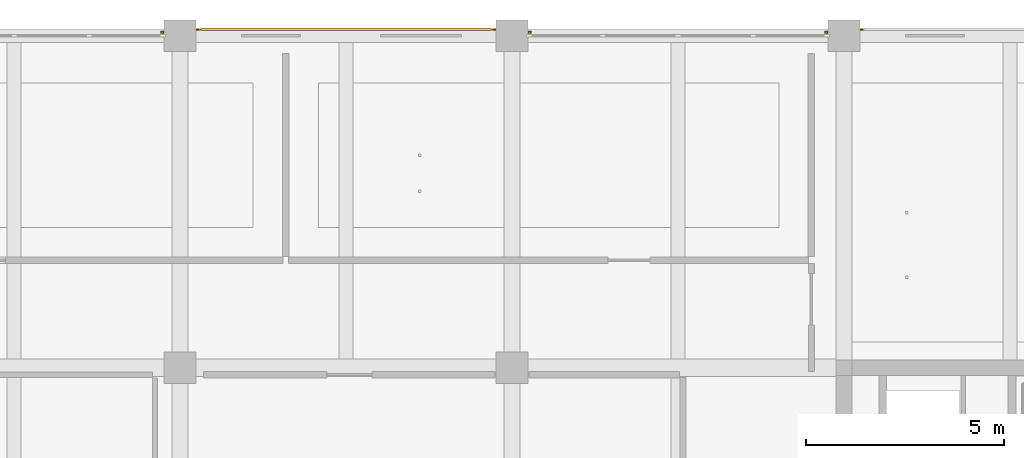
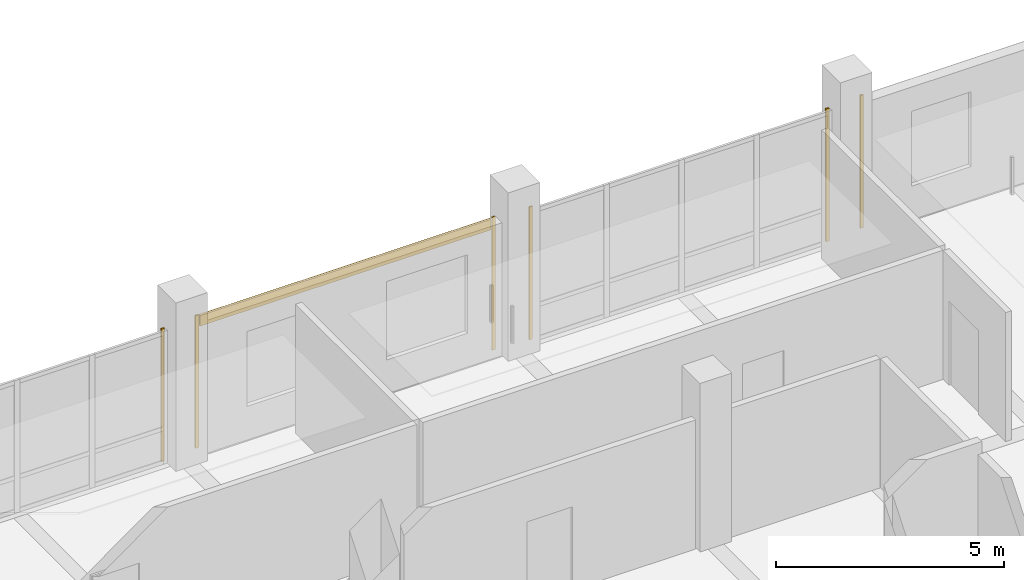
# One storey, part 33 of 34: 7 coverings.
"""IFC4 building model written with IfcOpenShell, lengths in metres."""

from ifc_helpers import new_model, si_unit, direction, frame, origin, origin_2d, place, context, subcontext, project, spatial, rectangle, extrude, material, layer, layer_set, type_object, element, save


model = new_model("IFC4")

# Units and contexts
model_context = context("Model", 3, precision=1e-05, world=origin(), true_north=direction((0.0, 1.0)))
body_context = subcontext(model_context, "Body", "Model", "MODEL_VIEW")
ifc_project = project(units=[si_unit("LENGTHUNIT", "METRE"), si_unit("AREAUNIT", "SQUARE_METRE"), si_unit("VOLUMEUNIT", "CUBIC_METRE"), si_unit("PLANEANGLEUNIT", "RADIAN"), si_unit("MASSUNIT", "GRAM", prefix="KILO")], contexts=[model_context])

# Site, building, storey
site_placement = place(None, origin())
site = spatial("IfcSite", under=ifc_project, at=site_placement, CompositionType="ELEMENT")
building_placement = place(site_placement, origin())
building = spatial("IfcBuilding", under=site, at=building_placement, Name="Telukmera Botanical Conservatory", CompositionType="ELEMENT")
storey_placement = place(building_placement, frame((0.0, 0.0, 37.5)))
storey = spatial("IfcBuildingStorey", under=building, at=storey_placement, Name="L08", CompositionType="ELEMENT", Elevation=37.5)

# Coverings
ifc_material_1 = material(Name="Granite-faced precast concrete C40/50", Category="masonry")
ifc_layer_1 = layer(ifc_material_1, 0.0400390625)
ifc_layer_set_1 = layer_set([ifc_layer_1], Name="Granite-faced precast concrete C40/50")
covering_type_1 = type_object("IfcCoveringType", Name="Granite Precast Column Pier Reveal Casing", PredefinedType="CLADDING", material=ifc_layer_set_1)
for number, where, z_axis, x_axis, name in (
    (1, (75.14794921875, 42.889892578125, 0.0), (0.0, 0.0, 1.0), (1.0, 0.0, 0.0), "Granite Pier Reveal V4:L08:N3 R"),
    (2, (76.052001953125, 42.9599609375, 0.0), (0.0, 0.0, 1.0), (1.0, 0.0, 0.0), "Granite Pier Reveal V4:L08:N4 L"),
    (3, (83.548095703125, 42.9599609375, 0.0), (0.0, 0.0, 1.0), (1.0, 0.0, 0.0), "Granite Pier Reveal V4:L08:N4 R"),
    (4, (84.451904296875, 42.889892578125, 0.0), (0.0, 0.0, 1.0), (1.0, 0.0, 0.0), "Granite Pier Reveal V4:L08:N5 L"),
    (5, (91.947998046875, 42.889892578125, 0.0), (0.0, 0.0, 1.0), (1.0, 0.0, 0.0), "Granite Pier Reveal V4:L08:N5 R"),
    (6, (92.85205078125, 42.9599609375, 0.0), (0.0, 0.0, 1.0), (1.0, 0.0, 0.0), "Granite Pier Reveal V4:L08:N6 L"),
):
    element("IfcCovering", number, at=place(storey_placement, frame(where, z_axis=z_axis, x_axis=x_axis)), inside=storey, type_object=covering_type_1, Name=name, PredefinedType="CLADDING", context=body_context, shape_type="SweptSolid", body=[
        extrude(rectangle(XDim=0.080078125, YDim=0.0400390625, at=origin_2d()), origin(), (0.0, 0.0, 1.0), 3.550048828125),
    ])
ifc_material_2 = material(Name="Terracotta-faced precast concrete C40/50", Category="masonry")
ifc_layer_2 = layer(ifc_material_2, 0.06005859375)
ifc_layer_set_2 = layer_set([ifc_layer_2], Name="Terracotta-faced precast concrete C40/50")
covering_type_2 = type_object("IfcCoveringType", Name="Polychrome Terracotta Facade Band Cladding", PredefinedType="CLADDING", material=ifc_layer_set_2)
covering_placement = place(storey_placement, frame((79.800048828125, 42.969970703125, 3.22998046875), z_axis=(0.0, 0.0, 1.0), x_axis=(1.0, 0.0, 0.0)))
element("IfcCovering", 7, at=covering_placement, inside=storey, type_object=covering_type_2, Name="Polychrome Terracotta Band V4:L08:N4", PredefinedType="CLADDING", context=body_context, shape_type="SweptSolid", body=[
    extrude(rectangle(XDim=7.35595703125, YDim=0.06005859375, at=origin_2d()), origin(), (0.0, 0.0, 1.0), 0.280029296875),
])

save(model, "model.ifc")
